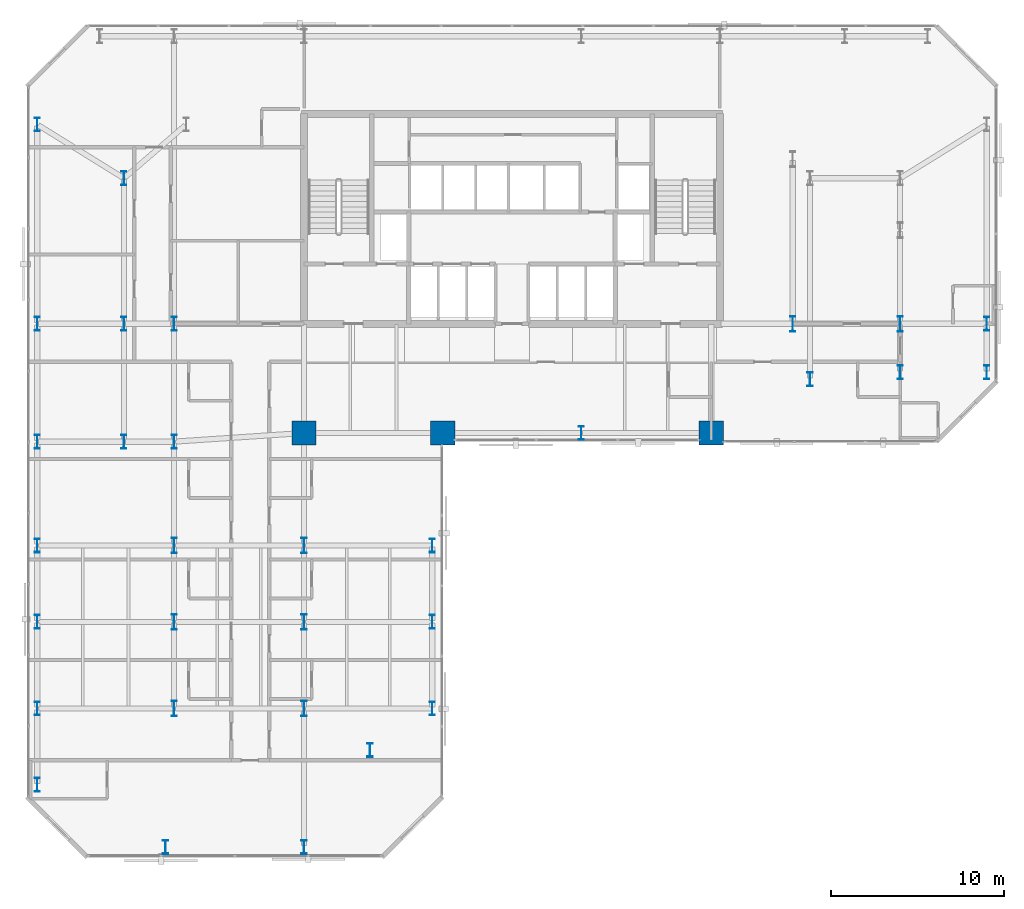
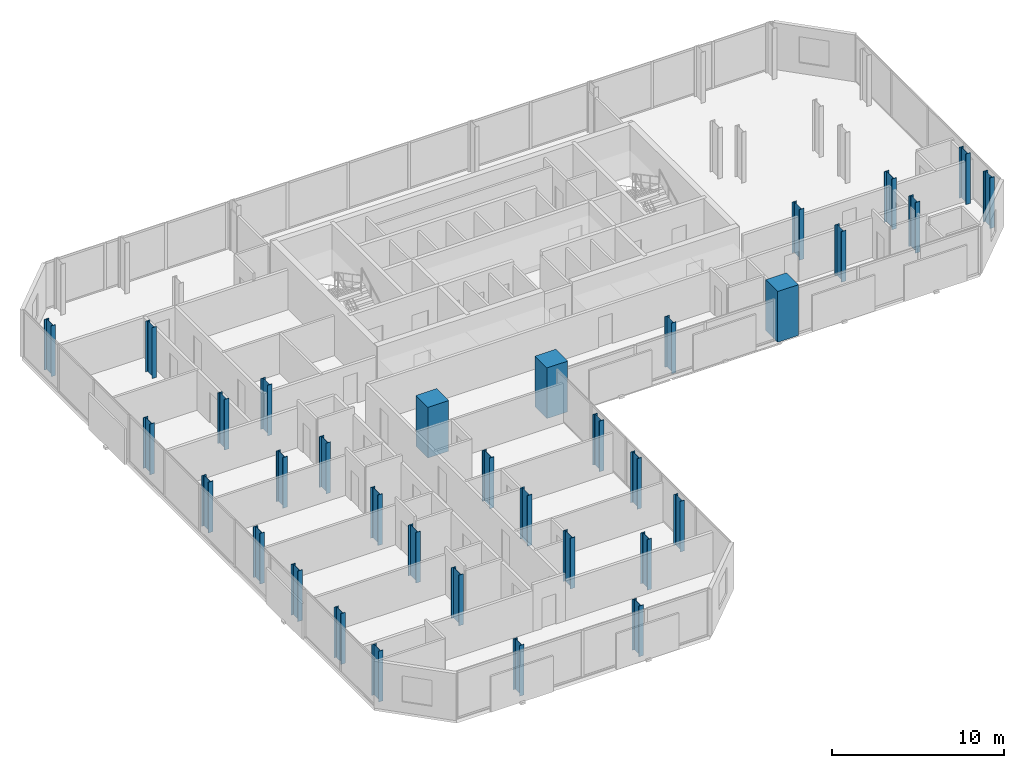
# One storey, part 1 of 33: 34 columns.
"""IFC4 building model written with IfcOpenShell, lengths in metres."""

from ifc_helpers import new_model, si_unit, direction, frame, origin, origin_2d, place, context, subcontext, project, spatial, rectangle, i_section, extrude, material, material_profile, profile_set, type_object, element, save


model = new_model("IFC4")

# Units and contexts
model_context = context("Model", 3, precision=1e-05, world=origin(), true_north=direction((0.0, 1.0)))
body_context = subcontext(model_context, "Body", "Model", "MODEL_VIEW")
ifc_project = project(units=[si_unit("LENGTHUNIT", "METRE"), si_unit("AREAUNIT", "SQUARE_METRE"), si_unit("VOLUMEUNIT", "CUBIC_METRE"), si_unit("PLANEANGLEUNIT", "RADIAN"), si_unit("MASSUNIT", "GRAM", prefix="KILO")], contexts=[model_context])

# Site, building, storey
site_placement = place(None, origin())
site = spatial("IfcSite", under=ifc_project, at=site_placement, CompositionType="ELEMENT")
building_placement = place(site_placement, origin())
building = spatial("IfcBuilding", under=site, at=building_placement, Name="Catumbela Crestline Tower", CompositionType="ELEMENT")
storey_placement = place(building_placement, frame((0.0, 0.0, 72.6)))
storey = spatial("IfcBuildingStorey", under=building, at=storey_placement, Name="L18", CompositionType="ELEMENT", Elevation=72.6)

# Columns
ifc_material_1 = material(Name="Concrete C60/75", Category="concrete")
ifc_material_profile_1 = material_profile(ifc_material_1, rectangle(XDim=1.4, YDim=1.4, at=origin_2d()), Name="RC 1400x1400")
ifc_profile_set_1 = profile_set([ifc_material_profile_1], Name="Concrete C60/75")
column_type_1 = type_object("IfcColumnType", Name="C-RC1400-C60", PredefinedType="COLUMN", material=ifc_profile_set_1)
for number, where, z_axis, x_axis, name in (
    (1, (16.0, 24.5, 0.0), (0.0, 0.0, 1.0), (1.0, 0.0, 0.0), "L18 Column C-16-24 (RC 1400x1400)"),
    (2, (24.0, 24.5, 0.0), (0.0, 0.0, 1.0), (1.0, 0.0, 0.0), "L18 Column C-24-24 (RC 1400x1400)"),
    (3, (39.5, 24.5, 0.0), (0.0, 0.0, 1.0), (1.0, 0.0, 0.0), "L18 Column C-40-24 (RC 1400x1400)"),
):
    element("IfcColumn", number, at=place(storey_placement, frame(where, z_axis=z_axis, x_axis=x_axis)), inside=storey, type_object=column_type_1, Name=name, PredefinedType="COLUMN", context=body_context, shape_type="SweptSolid", body=[
        extrude(rectangle(XDim=1.4, YDim=1.4, at=origin_2d()), origin(), (0.0, 0.0, 1.0), 3.6),
    ])
ifc_material_2 = material(Name="Structural steel S460M", Category="steel")
ifc_material_profile_2 = material_profile(ifc_material_2, i_section(OverallWidth=0.3, OverallDepth=0.8, WebThickness=0.0175, FlangeThickness=0.033, FilletRadius=0.03, at=origin_2d()), Name="HEB 800")
ifc_profile_set_2 = profile_set([ifc_material_profile_2], Name="Structural steel S460M")
column_type_2 = type_object("IfcColumnType", Name="C-ST-HEB800", PredefinedType="COLUMN", material=ifc_profile_set_2)
for number, where, z_axis, x_axis, name in (
    (4, (8.5, 24.0, 0.0), (0.0, 0.0, 1.0), (1.0, 0.0, 0.0), "L18 Column C-08-24 (HEB 800)"),
    (5, (32.0, 24.5, 0.0), (0.0, 0.0, 1.0), (1.0, 0.0, 0.0), "L18 Column C-32-24 (HEB 800)"),
    (6, (5.6, 24.0, 0.0), (0.0, 0.0, 1.0), (1.0, 0.0, 0.0), "L18 Column C-05-24 (HEB 800)"),
    (7, (5.6, 30.8, 0.0), (0.0, 0.0, 1.0), (1.0, 0.0, 0.0), "L18 Column C-05-31 (HEB 800)"),
    (8, (5.6, 39.2, 0.0), (0.0, 0.0, 1.0), (1.0, 0.0, 0.0), "L18 Column C-05-43 (HEB 800)"),
    (9, (8.5, 30.8, 0.0), (0.0, 0.0, 1.0), (1.0, 0.0, 0.0), "L18 Column C-08-31 (HEB 800)"),
    (10, (45.2, 27.6, 0.0), (0.0, 0.0, 1.0), (1.0, 0.0, 0.0), "L18 Column C-46-24 (HEB 800)"),
    (11, (0.6, 24.0, 0.0), (0.0, 0.0, 1.0), (1.0, 0.0, 0.0), "L18 Column C-00-24 (HEB 800)"),
    (12, (0.6, 30.8, 0.0), (0.0, 0.0, 1.0), (1.0, 0.0, 0.0), "L18 Column C-00-31 (HEB 800)"),
    (13, (0.6, 42.3, 0.0), (0.0, 0.0, 1.0), (1.0, 0.0, 0.0), "L18 Column C-00-43 (HEB 800)"),
    (14, (50.4, 28.0, 0.0), (0.0, 0.0, 1.0), (1.0, 0.0, 0.0), "L18 Column C-51-24 (HEB 800)"),
    (15, (55.4, 28.0, 0.0), (0.0, 0.0, 1.0), (1.0, 0.0, 0.0), "L18 Column C-56-24 (HEB 800)"),
    (16, (55.4, 30.8, 0.0), (0.0, 0.0, 1.0), (1.0, 0.0, 0.0), "L18 Column C-56-31 (HEB 800)"),
    (17, (0.6, 8.6, 0.0), (0.0, 0.0, 1.0), (1.0, 0.0, 0.0), "L18 Column C-00-05 (HEB 800)"),
    (18, (0.6, 13.6, 0.0), (0.0, 0.0, 1.0), (1.0, 0.0, 0.0), "L18 Column C-00-10 (HEB 800)"),
    (19, (0.6, 18.0, 0.0), (0.0, 0.0, 1.0), (1.0, 0.0, 0.0), "L18 Column C-00-16 (HEB 800)"),
    (20, (0.6, 4.2, 0.0), (0.0, 0.0, 1.0), (1.0, 0.0, 0.0), "L18 Column C-00-03 (HEB 800)"),
    (21, (8.0, 0.6, 0.0), (0.0, 0.0, 1.0), (1.0, 0.0, 0.0), "L18 Column C-08-00 (HEB 800)"),
    (22, (16.0, 0.6, 0.0), (0.0, 0.0, 1.0), (1.0, 0.0, 0.0), "L18 Column C-16-00 (HEB 800)"),
    (23, (19.8, 6.2, 0.0), (0.0, 0.0, 1.0), (1.0, 0.0, 0.0), "L18 Column C-24-05 (HEB 800)"),
    (24, (23.4, 8.6, 0.0), (0.0, 0.0, 1.0), (1.0, 0.0, 0.0), "L18 Column C-23-08 (HEB 800)"),
    (25, (23.4, 13.6, 0.0), (0.0, 0.0, 1.0), (1.0, 0.0, 0.0), "L18 Column C-24-10 (HEB 800)"),
    (26, (23.4, 18.0, 0.0), (0.0, 0.0, 1.0), (1.0, 0.0, 0.0), "L18 Column C-24-16 (HEB 800)"),
):
    element("IfcColumn", number, at=place(storey_placement, frame(where, z_axis=z_axis, x_axis=x_axis)), inside=storey, type_object=column_type_2, Name=name, PredefinedType="COLUMN", context=body_context, shape_type="SweptSolid", body=[
        extrude(i_section(OverallWidth=0.3, OverallDepth=0.8, WebThickness=0.0175, FlangeThickness=0.033, FilletRadius=0.03, at=origin_2d()), origin(), (0.0, 0.0, 1.0), 3.6),
    ])
ifc_material_profile_3 = material_profile(ifc_material_2, i_section(OverallWidth=0.3, OverallDepth=0.9, WebThickness=0.0185, FlangeThickness=0.035, FilletRadius=0.03, at=origin_2d()), Name="HEB 900")
ifc_profile_set_3 = profile_set([ifc_material_profile_3], Name="Structural steel S460M")
column_type_3 = type_object("IfcColumnType", Name="C-ST-HEB900", PredefinedType="COLUMN", material=ifc_profile_set_3)
for number, where, z_axis, x_axis, name in (
    (27, (8.5, 8.6, 0.0), (0.0, 0.0, 1.0), (1.0, 0.0, 0.0), "L18 Column CT-05-05 (HEB 900)"),
    (28, (16.0, 8.6, 0.0), (0.0, 0.0, 1.0), (1.0, 0.0, 0.0), "L18 Column CT-14-05 (HEB 900)"),
    (29, (8.5, 13.6, 0.0), (0.0, 0.0, 1.0), (1.0, 0.0, 0.0), "L18 Column CT-05-10 (HEB 900)"),
    (30, (16.0, 13.6, 0.0), (0.0, 0.0, 1.0), (1.0, 0.0, 0.0), "L18 Column CT-14-10 (HEB 900)"),
    (31, (8.5, 18.0, 0.0), (0.0, 0.0, 1.0), (1.0, 0.0, 0.0), "L18 Column CT-05-16 (HEB 900)"),
    (32, (16.0, 18.0, 0.0), (0.0, 0.0, 1.0), (1.0, 0.0, 0.0), "L18 Column CT-14-16 (HEB 900)"),
    (33, (44.2, 30.8, 0.0), (0.0, 0.0, 1.0), (1.0, 0.0, 0.0), "L18 Column CT-46-31 (HEB 900)"),
    (34, (50.4, 30.8, 0.0), (0.0, 0.0, 1.0), (1.0, 0.0, 0.0), "L18 Column CT-51-31 (HEB 900)"),
):
    element("IfcColumn", number, at=place(storey_placement, frame(where, z_axis=z_axis, x_axis=x_axis)), inside=storey, type_object=column_type_3, Name=name, PredefinedType="COLUMN", context=body_context, shape_type="SweptSolid", body=[
        extrude(i_section(OverallWidth=0.3, OverallDepth=0.9, WebThickness=0.0185, FlangeThickness=0.035, FilletRadius=0.03, at=origin_2d()), origin(), (0.0, 0.0, 1.0), 3.6),
    ])

save(model, "model.ifc")
